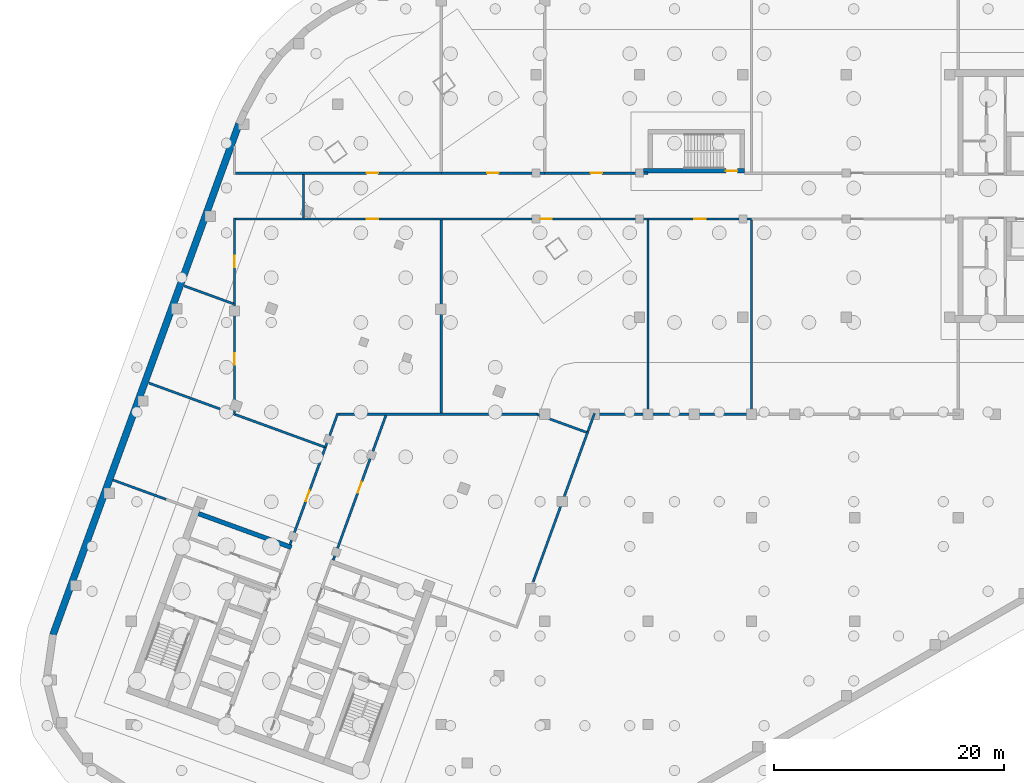
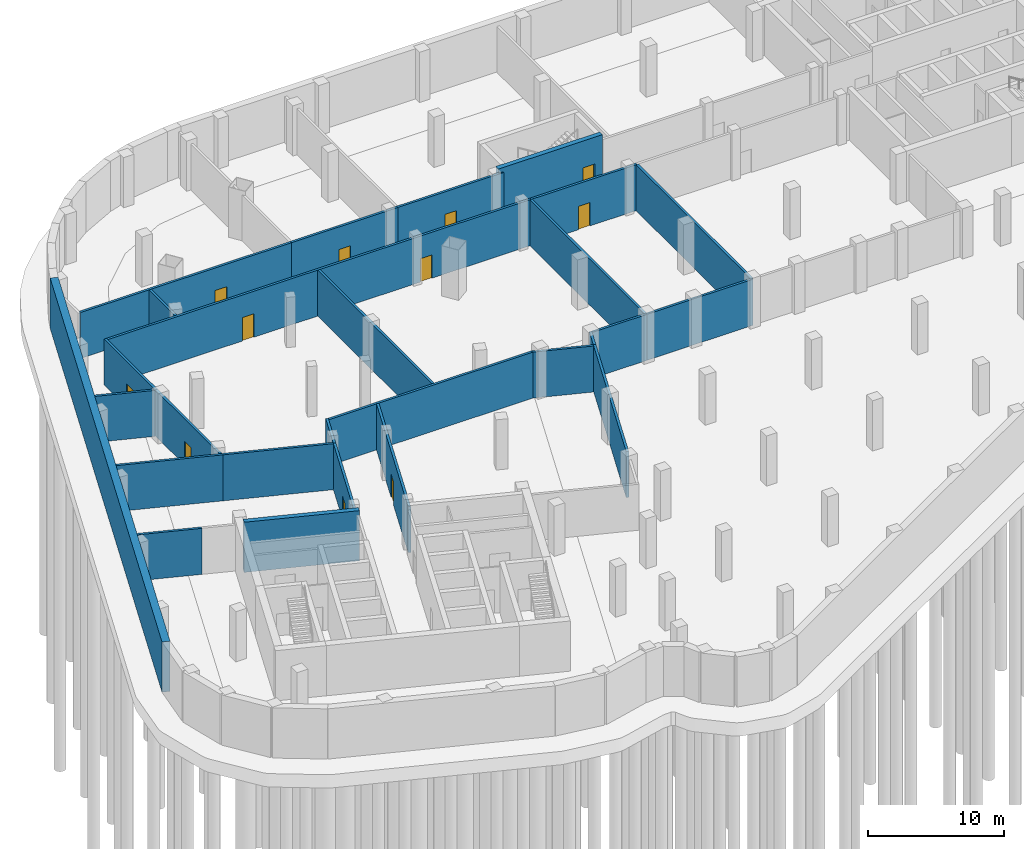
# One storey, part 6 of 18: 27 walls, 11 doors, 11 openings.
"""IFC4 building model written with IfcOpenShell, lengths in metres."""

from ifc_helpers import new_model, si_unit, direction, frame, frame_2d, origin, place, context, subcontext, project, spatial, rectangle, extrude, material, layer, layer_set, type_object, element, fill, save


model = new_model("IFC4")

# Units and contexts
model_context = context("Model", 3, precision=1e-05, world=origin(), true_north=direction((0.0, 1.0)))
body_context = subcontext(model_context, "Body", "Model", "MODEL_VIEW")
ifc_project = project(units=[si_unit("LENGTHUNIT", "METRE"), si_unit("AREAUNIT", "SQUARE_METRE"), si_unit("VOLUMEUNIT", "CUBIC_METRE"), si_unit("PLANEANGLEUNIT", "RADIAN"), si_unit("MASSUNIT", "GRAM", prefix="KILO")], contexts=[model_context])

# Site, building, storey
site_placement = place(None, origin())
site = spatial("IfcSite", under=ifc_project, at=site_placement, CompositionType="ELEMENT")
building_placement = place(site_placement, origin())
building = spatial("IfcBuilding", under=site, at=building_placement, Name="Skarvind Civic Tower", CompositionType="ELEMENT")
storey_placement = place(building_placement, frame((0.0, 0.0, -9.0)))
storey = spatial("IfcBuildingStorey", under=building, at=storey_placement, Name="B2", CompositionType="ELEMENT", Elevation=-9.0)

# Walls
ifc_material_1 = material(Name="Concrete C40", Category="concrete")
ifc_layer_1 = layer(ifc_material_1, 0.60009765625)
ifc_layer_set_1 = layer_set([ifc_layer_1], Name="Basement retaining wall 600 C40")
wall_type_1 = type_object("IfcWallType", Name="Basement retaining wall 600 C40", PredefinedType="SHEAR", material=ifc_layer_set_1)
wall_1_placement = place(storey_placement, frame((12.199462890625, 89.80908203125, 0.0), z_axis=(0.0, 0.0, 1.0), x_axis=(0.342018444468, 0.939693239118, 0.0)))
element("IfcWall", 1, at=wall_1_placement, inside=storey, type_object=wall_type_1, Name="Basement retaining wall B2 14", PredefinedType="SHEAR", context=body_context, shape_type="SweptSolid", body=[
    extrude(rectangle(XDim=47.334228515625, YDim=0.60009765625, at=frame_2d((23.6669921875, 0.0))), origin(), (0.0, 0.0, 1.0), 4.5),
])
ifc_material_2 = material(Name="Concrete C80", Category="concrete")
ifc_layer_2 = layer(ifc_material_2, 0.39990234375)
ifc_layer_set_2 = layer_set([ifc_layer_2], Name="Core wall 400 C80")
wall_type_2 = type_object("IfcWallType", Name="Core wall 400 C80", PredefinedType="SHEAR", material=ifc_layer_set_2)
wall_2_placement = place(storey_placement, frame((32.953369140625, 97.417724609375, 0.0), z_axis=(0.0, 0.0, 1.0), x_axis=(-0.93969060187, 0.342025690201, 0.0)))
element("IfcWall", 2, at=wall_2_placement, inside=storey, type_object=wall_type_2, Name="Core wall C2 north inner face B2", PredefinedType="SHEAR", context=body_context, shape_type="SweptSolid", body=[
    extrude(rectangle(XDim=8.599853515625, YDim=0.39990234375, at=frame_2d((4.2998046875, 0.0))), origin(), (0.0, 0.0, 1.0), 4.5),
])

# Wall, opening, door
wall_3_placement = place(storey_placement, frame((63.60009765625, 130.199951171875, 0.0), z_axis=(0.0, 0.0, 1.0), x_axis=(1.0, 0.0, 0.0)))
wall_3 = element("IfcWall", 3, at=wall_3_placement, inside=storey, type_object=wall_type_2, Name="Core wall CM inner B2", PredefinedType="SHEAR", context=body_context, shape_type="SweptSolid", body=[
    extrude(rectangle(XDim=8.7998046875, YDim=0.39990234375, at=frame_2d((4.39990234375, 0.0))), origin(), (0.0, 0.0, 1.0), 4.5),
])
opening_1_placement = place(wall_3_placement, frame((7.175048828125, 0.0, 0.0)))
opening_1 = element("IfcOpeningElement", 4, at=opening_1_placement, cuts=wall_3, Name="Opening D-B2-CM-01", PredefinedType="OPENING", context=body_context, shape_type="SweptSolid", body=[
    extrude(rectangle(XDim=1.0, YDim=2.10009765625, at=frame_2d((0.5, 1.050048828125))), frame((0.0, 0.2099609375, 0.0), z_axis=(0.0, -1.0, 0.0), x_axis=(1.0, 0.0, 0.0)), (0.0, 0.0, 1.0), 0.419921875),
])
ifc_material_3 = material(Name="Fire-rated steel door", Category="steel")
door_type_1 = type_object("IfcDoorType", Name="Fire door 1000", OperationType="NOTDEFINED", PredefinedType="DOOR", material=ifc_material_3)
door_1_placement = place(opening_1_placement, origin())
door_1 = element("IfcDoor", 5, at=door_1_placement, inside=storey, type_object=door_type_1, Name="Fire door", OperationType="SINGLE_SWING_LEFT", OverallHeight=2.10009765625, OverallWidth=1.0, PredefinedType="DOOR", context=body_context, shape_type="SweptSolid", body=[
    extrude(rectangle(XDim=1.0, YDim=2.10009765625, at=frame_2d((0.5, 1.050048828125))), frame((0.0, 0.02490234375, 0.0), z_axis=(0.0, -1.0, 0.0), x_axis=(1.0, 0.0, 0.0)), (0.0, 0.0, 1.0), 0.050048828125),
])
fill(opening_1, door_1)

# Walls
ifc_material_4 = material(Name="Fire-rated blockwork wall, plastered", Category="masonry")
ifc_layer_3 = layer(ifc_material_4, 0.199951171875)
ifc_layer_set_3 = layer_set([ifc_layer_3], Name="FIRE WALL 200 EI 120")
wall_type_3 = type_object("IfcWallType", Name="FIRE WALL 200 EI 120", PredefinedType="PARTITIONING", material=ifc_layer_set_3)
wall_4_placement = place(storey_placement, frame((20.548095703125, 111.72412109375, 0.0), z_axis=(0.0, 0.0, 1.0), x_axis=(0.939669089864, -0.342084787083, 0.0)))
element("IfcWall", 6, at=wall_4_placement, inside=storey, type_object=wall_type_3, Name="Basement partition B2 002", PredefinedType="PARTITIONING", context=body_context, shape_type="SweptSolid", body=[
    extrude(rectangle(XDim=8.0302734375, YDim=0.199951171875, at=frame_2d((4.01513671875, 0.0))), origin(), (0.0, 0.0, 1.0), 4.125),
])
wall_5_placement = place(storey_placement, frame((23.6259765625, 120.180908203125, 0.0), z_axis=(0.0, 0.0, 1.0), x_axis=(0.939669552092, -0.342083517393, 0.0)))
element("IfcWall", 7, at=wall_5_placement, inside=storey, type_object=wall_type_3, Name="Basement partition B2 004", PredefinedType="PARTITIONING", context=body_context, shape_type="SweptSolid", body=[
    extrude(rectangle(XDim=4.54833984375, YDim=0.199951171875, at=frame_2d((2.274169921875, 0.0))), origin(), (0.0, 0.0, 1.0), 4.125),
])

# Wall, opening, door
wall_6_placement = place(storey_placement, frame((28.0, 118.589111328125, 0.0), z_axis=(0.0, 0.0, 1.0), x_axis=(0.0, -1.0, 0.0)))
wall_6 = element("IfcWall", 8, at=wall_6_placement, inside=storey, type_object=wall_type_3, Name="Basement partition B2 005", PredefinedType="PARTITIONING", context=body_context, shape_type="SweptSolid", body=[
    extrude(rectangle(XDim=9.47216796875, YDim=0.199951171875, at=frame_2d((4.736083984375, 0.0))), origin(), (0.0, 0.0, 1.0), 4.125),
])
opening_2_placement = place(wall_6_placement, frame((4.2890625, 0.0, 0.0)))
opening_2 = element("IfcOpeningElement", 9, at=opening_2_placement, cuts=wall_6, Name="Opening B2-D201", PredefinedType="OPENING", context=body_context, shape_type="SweptSolid", body=[
    extrude(rectangle(XDim=1.0, YDim=2.10009765625, at=frame_2d((0.5, 1.050048828125))), frame((0.0, 0.10986328125, 0.0), z_axis=(0.0, -1.0, 0.0), x_axis=(1.0, 0.0, 0.0)), (0.0, 0.0, 1.0), 0.219970703125),
])
ifc_material_5 = material(Name="Painted steel fire door leaf", Category="steel")
door_type_2 = type_object("IfcDoorType", Name="FIRE DOOR 1000X2100 STEEL", OperationType="NOTDEFINED", PredefinedType="DOOR", material=ifc_material_5)
door_2_placement = place(opening_2_placement, origin())
door_2 = element("IfcDoor", 10, at=door_2_placement, inside=storey, type_object=door_type_2, Name="FIRE DOOR", OperationType="SINGLE_SWING_LEFT", OverallHeight=2.10009765625, OverallWidth=1.0, PredefinedType="DOOR", context=body_context, shape_type="SweptSolid", body=[
    extrude(rectangle(XDim=1.0, YDim=2.10009765625, at=frame_2d((0.5, 1.050048828125))), frame((0.0, 0.02490234375, 0.0), z_axis=(0.0, -1.0, 0.0), x_axis=(1.0, 0.0, 0.0)), (0.0, 0.0, 1.0), 0.050048828125),
])
fill(opening_2, door_2)

wall_7_placement = place(storey_placement, frame((46.0, 130.0, 0.0), z_axis=(0.0, 0.0, 1.0), x_axis=(1.0, 0.0, 0.0)))
wall_7 = element("IfcWall", 11, at=wall_7_placement, inside=storey, type_object=wall_type_3, Name="Basement partition B2 019", PredefinedType="PARTITIONING", context=body_context, shape_type="SweptSolid", body=[
    extrude(rectangle(XDim=9.0, YDim=0.199951171875, at=frame_2d((4.5, 0.0))), origin(), (0.0, 0.0, 1.0), 4.125),
])
opening_3_placement = place(wall_7_placement, frame((4.0, 0.0, 0.0)))
opening_3 = element("IfcOpeningElement", 12, at=opening_3_placement, cuts=wall_7, Name="Opening B2-D207", PredefinedType="OPENING", context=body_context, shape_type="SweptSolid", body=[
    extrude(rectangle(XDim=1.0, YDim=2.10009765625, at=frame_2d((0.5, 1.050048828125))), frame((0.0, 0.10986328125, 0.0), z_axis=(0.0, -1.0, 0.0), x_axis=(1.0, 0.0, 0.0)), (0.0, 0.0, 1.0), 0.219970703125),
])
door_3_placement = place(opening_3_placement, origin())
door_3 = element("IfcDoor", 13, at=door_3_placement, inside=storey, type_object=door_type_2, Name="FIRE DOOR", OperationType="SINGLE_SWING_LEFT", OverallHeight=2.10009765625, OverallWidth=1.0, PredefinedType="DOOR", context=body_context, shape_type="SweptSolid", body=[
    extrude(rectangle(XDim=1.0, YDim=2.10009765625, at=frame_2d((0.5, 1.050048828125))), frame((0.0, 0.02490234375, 0.0), z_axis=(0.0, -1.0, 0.0), x_axis=(1.0, 0.0, 0.0)), (0.0, 0.0, 1.0), 0.050048828125),
])
fill(opening_3, door_3)

# Walls
wall_8_placement = place(storey_placement, frame((54.0, 94.428955078125, 0.0), z_axis=(0.0, 0.0, 1.0), x_axis=(0.342057301943, 0.939679095323, 0.0)))
element("IfcWall", 14, at=wall_8_placement, inside=storey, type_object=wall_type_3, Name="Basement partition B2 021", PredefinedType="PARTITIONING", context=body_context, shape_type="SweptSolid", body=[
    extrude(rectangle(XDim=13.91015625, YDim=0.199951171875, at=frame_2d((6.955078125, 0.0))), origin(), (0.0, 0.0, 1.0), 4.125),
])
wall_9_placement = place(storey_placement, frame((64.0, 109.10009765625, 0.0), z_axis=(0.0, 0.0, 1.0), x_axis=(0.0, 1.0, 0.0)))
element("IfcWall", 15, at=wall_9_placement, inside=storey, type_object=wall_type_3, Name="Basement partition B2 027", PredefinedType="PARTITIONING", context=body_context, shape_type="SweptSolid", body=[
    extrude(rectangle(XDim=16.7998046875, YDim=0.199951171875, at=frame_2d((8.39990234375, 0.0))), origin(), (0.0, 0.0, 1.0), 4.125),
])
wall_10_placement = place(storey_placement, frame((64.0, 109.0, 0.0), z_axis=(0.0, 0.0, 1.0), x_axis=(1.0, 0.0, 0.0)))
element("IfcWall", 16, at=wall_10_placement, inside=storey, type_object=wall_type_3, Name="Basement partition B2 028", PredefinedType="PARTITIONING", context=body_context, shape_type="SweptSolid", body=[
    extrude(rectangle(XDim=9.0, YDim=0.199951171875, at=frame_2d((4.5, 0.0))), origin(), (0.0, 0.0, 1.0), 4.125),
])

# Wall, opening, door
wall_11_placement = place(storey_placement, frame((73.0, 126.0, 0.0), z_axis=(0.0, 0.0, 1.0), x_axis=(-1.0, 0.0, 0.0)))
wall_11 = element("IfcWall", 17, at=wall_11_placement, inside=storey, type_object=wall_type_3, Name="Basement partition B2 029", PredefinedType="PARTITIONING", context=body_context, shape_type="SweptSolid", body=[
    extrude(rectangle(XDim=9.0, YDim=0.199951171875, at=frame_2d((4.5, 0.0))), origin(), (0.0, 0.0, 1.0), 4.125),
])
opening_4_placement = place(wall_11_placement, frame((4.0, 0.0, 0.0)))
opening_4 = element("IfcOpeningElement", 18, at=opening_4_placement, cuts=wall_11, Name="Opening B2-D210", PredefinedType="OPENING", context=body_context, shape_type="SweptSolid", body=[
    extrude(rectangle(XDim=1.0, YDim=2.10009765625, at=frame_2d((0.5, 1.050048828125))), frame((0.0, 0.10986328125, 0.0), z_axis=(0.0, -1.0, 0.0), x_axis=(1.0, 0.0, 0.0)), (0.0, 0.0, 1.0), 0.219970703125),
])
door_4_placement = place(opening_4_placement, origin())
door_4 = element("IfcDoor", 19, at=door_4_placement, inside=storey, type_object=door_type_2, Name="FIRE DOOR", OperationType="SINGLE_SWING_RIGHT", OverallHeight=2.10009765625, OverallWidth=1.0, PredefinedType="DOOR", context=body_context, shape_type="SweptSolid", body=[
    extrude(rectangle(XDim=1.0, YDim=2.10009765625, at=frame_2d((0.5, 1.050048828125))), frame((0.0, 0.02490234375, 0.0), z_axis=(0.0, -1.0, 0.0), x_axis=(1.0, 0.0, 0.0)), (0.0, 0.0, 1.0), 0.050048828125),
])
fill(opening_4, door_4)

# Walls
wall_12_placement = place(storey_placement, frame((73.0, 109.10009765625, 0.0), z_axis=(0.0, 0.0, 1.0), x_axis=(0.0, 1.0, 0.0)))
element("IfcWall", 20, at=wall_12_placement, inside=storey, type_object=wall_type_3, Name="Basement partition B2 031", PredefinedType="PARTITIONING", context=body_context, shape_type="SweptSolid", body=[
    extrude(rectangle(XDim=16.7998046875, YDim=0.199951171875, at=frame_2d((8.39990234375, 0.0))), origin(), (0.0, 0.0, 1.0), 4.125),
])
ifc_layer_4 = layer(ifc_material_4, 0.199951171875)
ifc_layer_set_4 = layer_set([ifc_layer_4], Name="FIRE WALL 200 EI 60")
wall_type_4 = type_object("IfcWallType", Name="FIRE WALL 200 EI 60", PredefinedType="PARTITIONING", material=ifc_layer_set_4)
wall_13_placement = place(storey_placement, frame((17.404052734375, 103.291015625, 0.0), z_axis=(0.0, 0.0, 1.0), x_axis=(0.939686182384, -0.342037832173, 0.0)))
element("IfcWall", 21, at=wall_13_placement, inside=storey, type_object=wall_type_4, Name="Basement partition B2 001", PredefinedType="PARTITIONING", context=body_context, shape_type="SweptSolid", body=[
    extrude(rectangle(XDim=4.9208984375, YDim=0.199951171875, at=frame_2d((2.46044921875, 0.0))), origin(), (0.0, 0.0, 1.0), 4.125),
])

# Wall, opening, door
wall_14_placement = place(storey_placement, frame((28.0, 126.10009765625, 0.0), z_axis=(0.0, 0.0, 1.0), x_axis=(0.0, -1.0, 0.0)))
wall_14 = element("IfcWall", 22, at=wall_14_placement, inside=storey, type_object=wall_type_4, Name="Basement partition B2 006", PredefinedType="PARTITIONING", context=body_context, shape_type="SweptSolid", body=[
    extrude(rectangle(XDim=7.510986328125, YDim=0.199951171875, at=frame_2d((3.75537109375, 0.0))), origin(), (0.0, 0.0, 1.0), 4.125),
])
opening_5_placement = place(wall_14_placement, frame((3.306884765625, 0.0, 0.0)))
opening_5 = element("IfcOpeningElement", 23, at=opening_5_placement, cuts=wall_14, Name="Opening B2-D202", PredefinedType="OPENING", context=body_context, shape_type="SweptSolid", body=[
    extrude(rectangle(XDim=1.0, YDim=2.10009765625, at=frame_2d((0.5, 1.050048828125))), frame((0.0, 0.10986328125, 0.0), z_axis=(0.0, -1.0, 0.0), x_axis=(1.0, 0.0, 0.0)), (0.0, 0.0, 1.0), 0.219970703125),
])
door_5_placement = place(opening_5_placement, origin())
door_5 = element("IfcDoor", 24, at=door_5_placement, inside=storey, type_object=door_type_2, Name="FIRE DOOR", OperationType="SINGLE_SWING_RIGHT", OverallHeight=2.10009765625, OverallWidth=1.0, PredefinedType="DOOR", context=body_context, shape_type="SweptSolid", body=[
    extrude(rectangle(XDim=1.0, YDim=2.10009765625, at=frame_2d((0.5, 1.050048828125))), frame((0.0, 0.02490234375, 0.0), z_axis=(0.0, -1.0, 0.0), x_axis=(1.0, 0.0, 0.0)), (0.0, 0.0, 1.0), 0.050048828125),
])
fill(opening_5, door_5)

# Wall, openings, doors
wall_15_placement = place(storey_placement, frame((64.0, 126.0, 0.0), z_axis=(0.0, 0.0, 1.0), x_axis=(-1.0, 0.0, 0.0)))
wall_15 = element("IfcWall", 25, at=wall_15_placement, inside=storey, type_object=wall_type_4, Name="Basement partition B2 007", PredefinedType="PARTITIONING", context=body_context, shape_type="SweptSolid", body=[
    extrude(rectangle(XDim=35.89990234375, YDim=0.199951171875, at=frame_2d((17.949951171875, 0.0))), origin(), (0.0, 0.0, 1.0), 4.125),
])
opening_6_placement = place(wall_15_placement, frame((23.498046875, 0.0, 0.0)))
opening_6 = element("IfcOpeningElement", 26, at=opening_6_placement, cuts=wall_15, Name="Opening B2-D205", PredefinedType="OPENING", context=body_context, shape_type="SweptSolid", body=[
    extrude(rectangle(XDim=1.0, YDim=2.10009765625, at=frame_2d((0.5, 1.050048828125))), frame((0.0, 0.10986328125, 0.0), z_axis=(0.0, -1.0, 0.0), x_axis=(1.0, 0.0, 0.0)), (0.0, 0.0, 1.0), 0.219970703125),
])
opening_7_placement = place(wall_15_placement, frame((8.39990234375, 0.0, 0.0)))
opening_7 = element("IfcOpeningElement", 27, at=opening_7_placement, cuts=wall_15, Name="Opening B2-D208", PredefinedType="OPENING", context=body_context, shape_type="SweptSolid", body=[
    extrude(rectangle(XDim=1.0, YDim=2.10009765625, at=frame_2d((0.5, 1.050048828125))), frame((0.0, 0.10986328125, 0.0), z_axis=(0.0, -1.0, 0.0), x_axis=(1.0, 0.0, 0.0)), (0.0, 0.0, 1.0), 0.219970703125),
])
door_6_placement = place(opening_6_placement, origin())
door_6 = element("IfcDoor", 28, at=door_6_placement, inside=storey, type_object=door_type_2, Name="FIRE DOOR", OperationType="SINGLE_SWING_RIGHT", OverallHeight=2.10009765625, OverallWidth=1.0, PredefinedType="DOOR", context=body_context, shape_type="SweptSolid", body=[
    extrude(rectangle(XDim=1.0, YDim=2.10009765625, at=frame_2d((0.5, 1.050048828125))), frame((0.0, 0.02490234375, 0.0), z_axis=(0.0, -1.0, 0.0), x_axis=(1.0, 0.0, 0.0)), (0.0, 0.0, 1.0), 0.050048828125),
])
fill(opening_6, door_6)
door_7_placement = place(opening_7_placement, origin())
door_7 = element("IfcDoor", 29, at=door_7_placement, inside=storey, type_object=door_type_2, Name="FIRE DOOR", OperationType="SINGLE_SWING_LEFT", OverallHeight=2.10009765625, OverallWidth=1.0, PredefinedType="DOOR", context=body_context, shape_type="SweptSolid", body=[
    extrude(rectangle(XDim=1.0, YDim=2.10009765625, at=frame_2d((0.5, 1.050048828125))), frame((0.0, 0.02490234375, 0.0), z_axis=(0.0, -1.0, 0.0), x_axis=(1.0, 0.0, 0.0)), (0.0, 0.0, 1.0), 0.050048828125),
])
fill(opening_7, door_7)

# Wall, opening, door
wall_16_placement = place(storey_placement, frame((28.10009765625, 130.0, 0.0), z_axis=(0.0, 0.0, 1.0), x_axis=(1.0, 0.0, 0.0)))
wall_16 = element("IfcWall", 30, at=wall_16_placement, inside=storey, type_object=wall_type_4, Name="Basement partition B2 009", PredefinedType="PARTITIONING", context=body_context, shape_type="SweptSolid", body=[
    extrude(rectangle(XDim=17.89990234375, YDim=0.199951171875, at=frame_2d((8.949951171875, 0.0))), origin(), (0.0, 0.0, 1.0), 4.125),
])
opening_8_placement = place(wall_16_placement, frame((11.402099609375, 0.0, 0.0)))
opening_8 = element("IfcOpeningElement", 31, at=opening_8_placement, cuts=wall_16, Name="Opening B2-D206", PredefinedType="OPENING", context=body_context, shape_type="SweptSolid", body=[
    extrude(rectangle(XDim=1.0, YDim=2.10009765625, at=frame_2d((0.5, 1.050048828125))), frame((0.0, 0.10986328125, 0.0), z_axis=(0.0, -1.0, 0.0), x_axis=(1.0, 0.0, 0.0)), (0.0, 0.0, 1.0), 0.219970703125),
])
door_8_placement = place(opening_8_placement, origin())
door_8 = element("IfcDoor", 32, at=door_8_placement, inside=storey, type_object=door_type_2, Name="FIRE DOOR", OperationType="SINGLE_SWING_RIGHT", OverallHeight=2.10009765625, OverallWidth=1.0, PredefinedType="DOOR", context=body_context, shape_type="SweptSolid", body=[
    extrude(rectangle(XDim=1.0, YDim=2.10009765625, at=frame_2d((0.5, 1.050048828125))), frame((0.0, 0.02490234375, 0.0), z_axis=(0.0, -1.0, 0.0), x_axis=(1.0, 0.0, 0.0)), (0.0, 0.0, 1.0), 0.050048828125),
])
fill(opening_8, door_8)

# Wall
wall_17_placement = place(storey_placement, frame((28.031005859375, 109.0, 0.0), z_axis=(0.0, 0.0, 1.0), x_axis=(0.939666055337, -0.342093122479, 0.0)))
element("IfcWall", 33, at=wall_17_placement, inside=storey, type_object=wall_type_4, Name="Basement partition B2 010", PredefinedType="PARTITIONING", context=body_context, shape_type="SweptSolid", body=[
    extrude(rectangle(XDim=8.287109375, YDim=0.199951171875, at=frame_2d((4.1435546875, 0.0))), origin(), (0.0, 0.0, 1.0), 4.125),
])

# Wall, opening, door
wall_18_placement = place(storey_placement, frame((32.833984375, 97.674072265625, 0.0), z_axis=(0.0, 0.0, 1.0), x_axis=(0.3420218461, 0.939692001025, 0.0)))
wall_18 = element("IfcWall", 34, at=wall_18_placement, inside=storey, type_object=wall_type_4, Name="Basement partition B2 011", PredefinedType="PARTITIONING", context=body_context, shape_type="SweptSolid", body=[
    extrude(rectangle(XDim=8.999755859375, YDim=0.199951171875, at=frame_2d((4.5, 0.0))), origin(), (0.0, 0.0, 1.0), 4.125),
])
opening_9_placement = place(wall_18_placement, frame((4.001953125, 0.0, 0.0)))
opening_9 = element("IfcOpeningElement", 35, at=opening_9_placement, cuts=wall_18, Name="Opening B2-D203", PredefinedType="OPENING", context=body_context, shape_type="SweptSolid", body=[
    extrude(rectangle(XDim=1.0, YDim=2.10009765625, at=frame_2d((0.5, 1.050048828125))), frame((0.0, 0.10986328125, 0.0), z_axis=(0.0, -1.0, 0.0), x_axis=(1.0, 0.0, 0.0)), (0.0, 0.0, 1.0), 0.219970703125),
])
door_9_placement = place(opening_9_placement, origin())
door_9 = element("IfcDoor", 36, at=door_9_placement, inside=storey, type_object=door_type_2, Name="FIRE DOOR", OperationType="SINGLE_SWING_RIGHT", OverallHeight=2.10009765625, OverallWidth=1.0, PredefinedType="DOOR", context=body_context, shape_type="SweptSolid", body=[
    extrude(rectangle(XDim=1.0, YDim=2.10009765625, at=frame_2d((0.5, 1.050048828125))), frame((0.0, 0.02490234375, 0.0), z_axis=(0.0, -1.0, 0.0), x_axis=(1.0, 0.0, 0.0)), (0.0, 0.0, 1.0), 0.050048828125),
])
fill(opening_9, door_9)

# Walls
wall_19_placement = place(storey_placement, frame((34.0, 126.10009765625, 0.0), z_axis=(0.0, 0.0, 1.0), x_axis=(0.0, 1.0, 0.0)))
element("IfcWall", 37, at=wall_19_placement, inside=storey, type_object=wall_type_4, Name="Basement partition B2 012", PredefinedType="PARTITIONING", context=body_context, shape_type="SweptSolid", body=[
    extrude(rectangle(XDim=3.7998046875, YDim=0.199951171875, at=frame_2d((1.89990234375, 0.0))), origin(), (0.0, 0.0, 1.0), 4.125),
])
wall_20_placement = place(storey_placement, frame((35.910888671875, 106.126953125, 0.0), z_axis=(0.0, 0.0, 1.0), x_axis=(0.341792733582, 0.939775360004, 0.0)))
element("IfcWall", 38, at=wall_20_placement, inside=storey, type_object=wall_type_4, Name="Basement partition B2 013", PredefinedType="PARTITIONING", context=body_context, shape_type="SweptSolid", body=[
    extrude(rectangle(XDim=3.1572265625, YDim=0.199951171875, at=frame_2d((1.57861328125, 0.0))), origin(), (0.0, 0.0, 1.0), 4.125),
])

# Wall, opening, door
wall_21_placement = place(storey_placement, frame((41.177001953125, 108.89990234375, 0.0), z_axis=(0.0, 0.0, 1.0), x_axis=(-0.342029721619, -0.939689134517, 0.0)))
wall_21 = element("IfcWall", 39, at=wall_21_placement, inside=storey, type_object=wall_type_4, Name="Basement partition B2 014", PredefinedType="PARTITIONING", context=body_context, shape_type="SweptSolid", body=[
    extrude(rectangle(XDim=13.40234375, YDim=0.199951171875, at=frame_2d((6.701171875, 0.0))), origin(), (0.0, 0.0, 1.0), 4.125),
])
opening_10_placement = place(wall_21_placement, frame((6.14794921875, 0.0, 0.0)))
opening_10 = element("IfcOpeningElement", 40, at=opening_10_placement, cuts=wall_21, Name="Opening B2-D204", PredefinedType="OPENING", context=body_context, shape_type="SweptSolid", body=[
    extrude(rectangle(XDim=1.0, YDim=2.10009765625, at=frame_2d((0.5, 1.050048828125))), frame((0.0, 0.10986328125, 0.0), z_axis=(0.0, -1.0, 0.0), x_axis=(1.0, 0.0, 0.0)), (0.0, 0.0, 1.0), 0.219970703125),
])
door_10_placement = place(opening_10_placement, origin())
door_10 = element("IfcDoor", 41, at=door_10_placement, inside=storey, type_object=door_type_2, Name="FIRE DOOR", OperationType="SINGLE_SWING_LEFT", OverallHeight=2.10009765625, OverallWidth=1.0, PredefinedType="DOOR", context=body_context, shape_type="SweptSolid", body=[
    extrude(rectangle(XDim=1.0, YDim=2.10009765625, at=frame_2d((0.5, 1.050048828125))), frame((0.0, 0.02490234375, 0.0), z_axis=(0.0, -1.0, 0.0), x_axis=(1.0, 0.0, 0.0)), (0.0, 0.0, 1.0), 0.050048828125),
])
fill(opening_10, door_10)

# Walls
wall_22_placement = place(storey_placement, frame((37.06201171875, 109.0, 0.0), z_axis=(0.0, 0.0, 1.0), x_axis=(1.0, 0.0, 0.0)))
element("IfcWall", 42, at=wall_22_placement, inside=storey, type_object=wall_type_4, Name="Basement partition B2 015", PredefinedType="PARTITIONING", context=body_context, shape_type="SweptSolid", body=[
    extrude(rectangle(XDim=17.301025390625, YDim=0.199951171875, at=frame_2d((8.650390625, 0.0))), origin(), (0.0, 0.0, 1.0), 4.125),
])
wall_23_placement = place(storey_placement, frame((46.0, 109.10009765625, 0.0), z_axis=(0.0, 0.0, 1.0), x_axis=(0.0, 1.0, 0.0)))
element("IfcWall", 43, at=wall_23_placement, inside=storey, type_object=wall_type_4, Name="Basement partition B2 017", PredefinedType="PARTITIONING", context=body_context, shape_type="SweptSolid", body=[
    extrude(rectangle(XDim=16.7998046875, YDim=0.199951171875, at=frame_2d((8.39990234375, 0.0))), origin(), (0.0, 0.0, 1.0), 4.125),
])
wall_24_placement = place(storey_placement, frame((54.327880859375, 109.006103515625, 0.0), z_axis=(0.0, 0.0, 1.0), x_axis=(0.939667244136, -0.342089857053, 0.0)))
element("IfcWall", 44, at=wall_24_placement, inside=storey, type_object=wall_type_4, Name="Basement partition B2 022", PredefinedType="PARTITIONING", context=body_context, shape_type="SweptSolid", body=[
    extrude(rectangle(XDim=4.578125, YDim=0.199951171875, at=frame_2d((2.2890625, 0.0))), origin(), (0.0, 0.0, 1.0), 4.125),
])

# Wall, opening, door
wall_25_placement = place(storey_placement, frame((55.0, 130.0, 0.0), z_axis=(0.0, 0.0, 1.0), x_axis=(1.0, 0.0, 0.0)))
wall_25 = element("IfcWall", 45, at=wall_25_placement, inside=storey, type_object=wall_type_4, Name="Basement partition B2 024", PredefinedType="PARTITIONING", context=body_context, shape_type="SweptSolid", body=[
    extrude(rectangle(XDim=9.0, YDim=0.199951171875, at=frame_2d((4.5, 0.0))), origin(), (0.0, 0.0, 1.0), 4.125),
])
opening_11_placement = place(wall_25_placement, frame((3.998046875, 0.0, 0.0)))
opening_11 = element("IfcOpeningElement", 46, at=opening_11_placement, cuts=wall_25, Name="Opening B2-D209", PredefinedType="OPENING", context=body_context, shape_type="SweptSolid", body=[
    extrude(rectangle(XDim=1.0, YDim=2.10009765625, at=frame_2d((0.5, 1.050048828125))), frame((0.0, 0.10986328125, 0.0), z_axis=(0.0, -1.0, 0.0), x_axis=(1.0, 0.0, 0.0)), (0.0, 0.0, 1.0), 0.219970703125),
])
door_11_placement = place(opening_11_placement, origin())
door_11 = element("IfcDoor", 47, at=door_11_placement, inside=storey, type_object=door_type_2, Name="FIRE DOOR", OperationType="SINGLE_SWING_RIGHT", OverallHeight=2.10009765625, OverallWidth=1.0, PredefinedType="DOOR", context=body_context, shape_type="SweptSolid", body=[
    extrude(rectangle(XDim=1.0, YDim=2.10009765625, at=frame_2d((0.5, 1.050048828125))), frame((0.0, 0.02490234375, 0.0), z_axis=(0.0, -1.0, 0.0), x_axis=(1.0, 0.0, 0.0)), (0.0, 0.0, 1.0), 0.050048828125),
])
fill(opening_11, door_11)

# Walls
wall_26_placement = place(storey_placement, frame((58.7509765625, 107.48095703125, 0.0), z_axis=(0.0, 0.0, 1.0), x_axis=(0.341925778056, 0.93972696157, 0.0)))
element("IfcWall", 48, at=wall_26_placement, inside=storey, type_object=wall_type_4, Name="Basement partition B2 025", PredefinedType="PARTITIONING", context=body_context, shape_type="SweptSolid", body=[
    extrude(rectangle(XDim=1.716552734375, YDim=0.199951171875, at=frame_2d((0.8583984375, 0.0))), origin(), (0.0, 0.0, 1.0), 4.125),
])
wall_27_placement = place(storey_placement, frame((59.409912109375, 109.0, 0.0), z_axis=(0.0, 0.0, 1.0), x_axis=(1.0, 0.0, 0.0)))
element("IfcWall", 49, at=wall_27_placement, inside=storey, type_object=wall_type_4, Name="Basement partition B2 026", PredefinedType="PARTITIONING", context=body_context, shape_type="SweptSolid", body=[
    extrude(rectangle(XDim=4.590087890625, YDim=0.199951171875, at=frame_2d((2.294921875, 0.0))), origin(), (0.0, 0.0, 1.0), 4.125),
])

save(model, "model.ifc")
